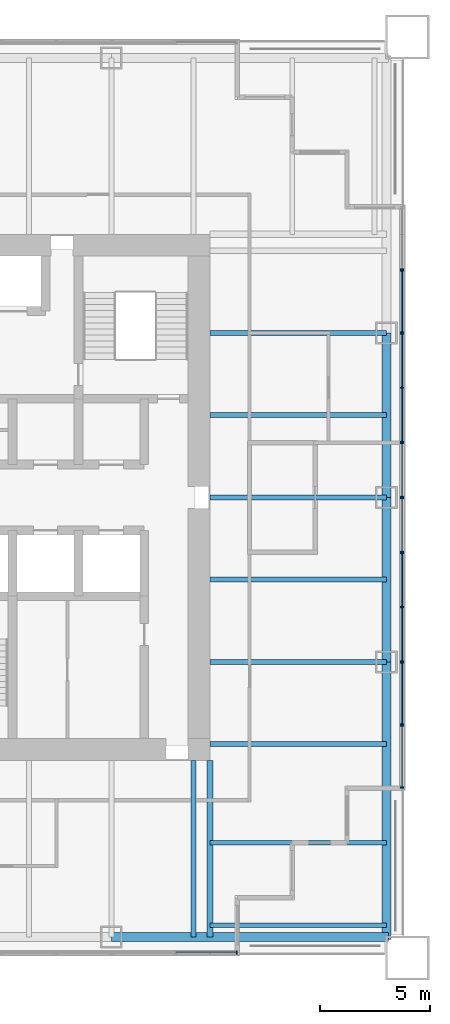
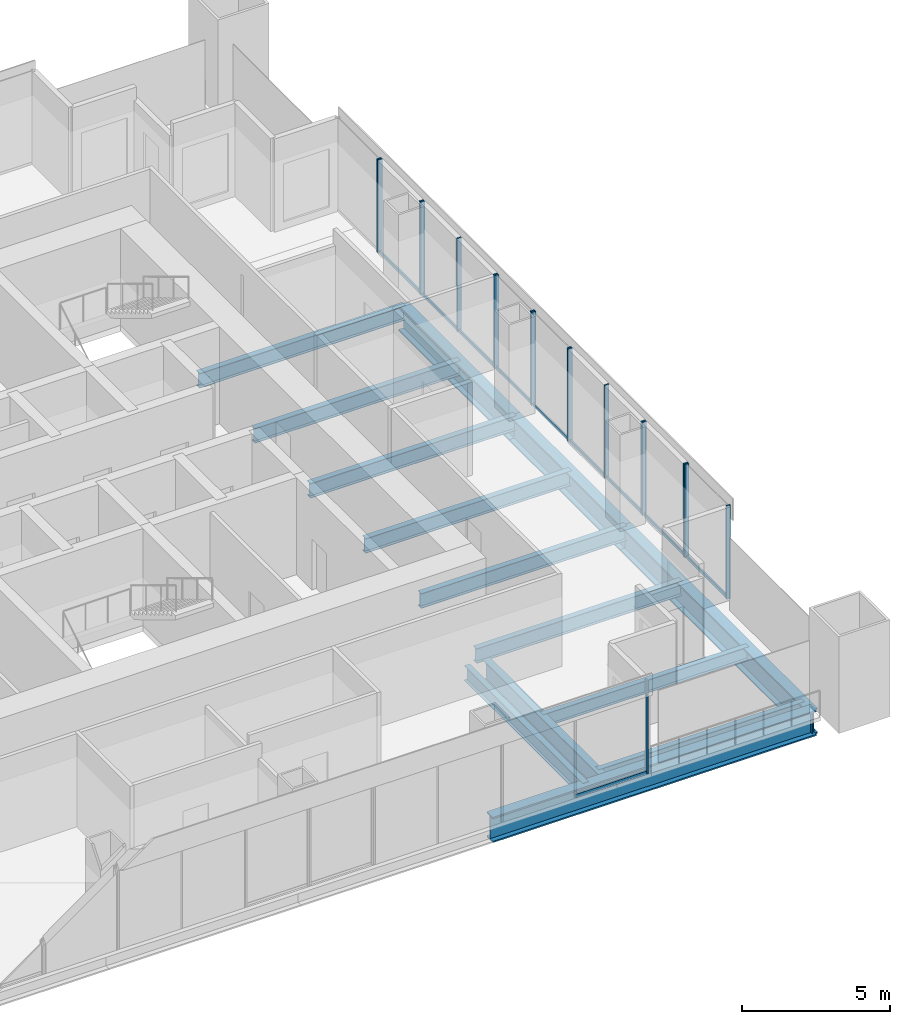
# One storey, part 5 of 14: 28 members, 14 beams, 9 elements without a shape of their own.
"""IFC4 building model written with IfcOpenShell, lengths in metres."""

from ifc_helpers import new_model, si_unit, direction, frame, origin, origin_2d, place, context, subcontext, project, spatial, rectangle, i_section, extrude, material, material_profile, profile_set, type_object, element, aggregate, save


model = new_model("IFC4")

# Units and contexts
model_context = context("Model", 3, precision=1e-05, world=origin(), true_north=direction((0.0, 1.0)))
body_context = subcontext(model_context, "Body", "Model", "MODEL_VIEW")
ifc_project = project(units=[si_unit("LENGTHUNIT", "METRE"), si_unit("AREAUNIT", "SQUARE_METRE"), si_unit("VOLUMEUNIT", "CUBIC_METRE"), si_unit("PLANEANGLEUNIT", "RADIAN"), si_unit("MASSUNIT", "GRAM", prefix="KILO")], contexts=[model_context])

# Site, building, storey
site_placement = place(None, origin())
site = spatial("IfcSite", under=ifc_project, at=site_placement, CompositionType="ELEMENT")
building_placement = place(site_placement, origin())
building = spatial("IfcBuilding", under=site, at=building_placement, Name="Tarangal Relay Tower", CompositionType="ELEMENT")
storey_placement = place(building_placement, frame((0.0, 0.0, 271.89990234375)))
storey = spatial("IfcBuildingStorey", under=building, at=storey_placement, Name="L59", CompositionType="ELEMENT", Elevation=271.89990234375)

# Beams
ifc_material_1 = material(Name="Steel ASTM A992", Category="steel")
ifc_material_profile_1 = material_profile(ifc_material_1, i_section(OverallWidth=0.209228515625, OverallDepth=0.533447265625, WebThickness=0.01025390625, FlangeThickness=0.015625, at=origin_2d()), Name="W21X62")
ifc_profile_set_1 = profile_set([ifc_material_profile_1], Name="Steel ASTM A992")
beam_type_1 = type_object("IfcBeamType", Name="Corner beam W21X62", PredefinedType="JOIST", material=ifc_profile_set_1)
for number, where, z_axis, x_axis, name in (
    (1, (12.0, -15.75, -0.41650390625), (1.0, 0.0, 0.0), (0.0, 1.0, 0.0), "Corner beam CB12 E L59"),
    (2, (12.0, -19.5, -0.41650390625), (1.0, 0.0, 0.0), (0.0, 1.0, 0.0), "Corner beam CB12 E L59"),
):
    element("IfcBeam", number, at=place(storey_placement, frame(where, z_axis=z_axis, x_axis=x_axis)), inside=storey, type_object=beam_type_1, Name=name, PredefinedType="JOIST", context=body_context, shape_type="SweptSolid", body=[
        extrude(i_section(OverallWidth=0.209228515625, OverallDepth=0.533447265625, WebThickness=0.01025390625, FlangeThickness=0.015625, at=origin_2d()), origin(), (0.0, 0.0, 1.0), 8.0400390625),
    ])
ifc_material_profile_2 = material_profile(ifc_material_1, i_section(OverallWidth=0.2919921875, OverallDepth=0.8408203125, WebThickness=0.0146484375, FlangeThickness=0.021728515625, at=origin_2d()), Name="W33X130")
ifc_profile_set_2 = profile_set([ifc_material_profile_2], Name="Steel ASTM A992")
beam_type_2 = type_object("IfcBeamType", Name="Corner girder W33X130", PredefinedType="BEAM", material=ifc_profile_set_2)
beam_placement = place(storey_placement, frame((12.0, -12.0, -0.5703125), z_axis=(0.0, -1.0, 0.0), x_axis=(1.0, 0.0, 0.0)))
element("IfcBeam", 3, at=beam_placement, inside=storey, type_object=beam_type_2, Name="Corner girder CG5 E L59", PredefinedType="BEAM", context=body_context, shape_type="SweptSolid", body=[
    extrude(i_section(OverallWidth=0.2919921875, OverallDepth=0.8408203125, WebThickness=0.0146484375, FlangeThickness=0.021728515625, at=origin_2d()), origin(), (0.0, 0.0, 1.0), 8.0400390625),
])
ifc_material_profile_3 = material_profile(ifc_material_1, i_section(OverallWidth=0.41162109375, OverallDepth=1.049072265625, WebThickness=0.033935546875, FlangeThickness=0.059814453125, at=origin_2d()), Name="W40X431")
ifc_profile_set_3 = profile_set([ifc_material_profile_3], Name="Steel ASTM A992")
beam_type_3 = type_object("IfcBeamType", Name="Edge girder W40X431", PredefinedType="SPANDREL", material=ifc_profile_set_3)
for number, where, z_axis, x_axis, name in (
    (4, (20.0400390625, 7.5, -0.67431640625), (0.0, -1.0, 0.0), (1.0, 0.0, 0.0), "Edge girder EG1 E L59"),
    (5, (20.0400390625, 0.0, -0.67431640625), (0.0, -1.0, 0.0), (1.0, 0.0, 0.0), "Edge girder EG1 E L59"),
):
    element("IfcBeam", number, at=place(storey_placement, frame(where, z_axis=z_axis, x_axis=x_axis)), inside=storey, type_object=beam_type_3, Name=name, PredefinedType="SPANDREL", context=body_context, shape_type="SweptSolid", body=[
        extrude(i_section(OverallWidth=0.41162109375, OverallDepth=1.049072265625, WebThickness=0.033935546875, FlangeThickness=0.059814453125, at=origin_2d()), origin(), (0.0, 0.0, 1.0), 7.5),
    ])
for number, where, z_axis, x_axis, name in (
    (6, (20.0400390625, -7.5, -0.67431640625), (0.0, -1.0, 0.0), (1.0, 0.0, 0.0), "Edge girder EG1 E L59"),
    (7, (20.14990234375, -20.0400390625, -0.67431640625), (-1.0, 0.0, 0.0), (0.0, -1.0, 0.0), "Edge girder EG1 S L59"),
):
    element("IfcBeam", number, at=place(storey_placement, frame(where, z_axis=z_axis, x_axis=x_axis)), inside=storey, type_object=beam_type_3, Name=name, PredefinedType="SPANDREL", context=body_context, shape_type="SweptSolid", body=[
        extrude(i_section(OverallWidth=0.41162109375, OverallDepth=1.049072265625, WebThickness=0.033935546875, FlangeThickness=0.059814453125, at=origin_2d()), origin(), (0.0, 0.0, 1.0), 12.64990234375),
    ])
ifc_material_profile_4 = material_profile(ifc_material_1, i_section(OverallWidth=0.228271484375, OverallDepth=0.607177734375, WebThickness=0.01123046875, FlangeThickness=0.017333984375, at=origin_2d()), Name="W24X76")
ifc_profile_set_4 = profile_set([ifc_material_profile_4], Name="Steel ASTM A992")
beam_type_4 = type_object("IfcBeamType", Name="Floor beam W24X76", PredefinedType="BEAM", material=ifc_profile_set_4)
for number, where, z_axis, x_axis, name in (
    (8, (12.0, 7.5, -0.453369140625), (1.0, 0.0, 0.0), (0.0, 1.0, 0.0), "Floor beam RB5 E L59"),
    (9, (12.0, 3.75, -0.453369140625), (1.0, 0.0, 0.0), (0.0, 1.0, 0.0), "Floor beam RB5 E L59"),
    (10, (12.0, 0.0, -0.453369140625), (1.0, 0.0, 0.0), (0.0, 1.0, 0.0), "Floor beam RB5 E L59"),
    (11, (12.0, -3.75, -0.453369140625), (1.0, 0.0, 0.0), (0.0, 1.0, 0.0), "Floor beam RB5 E L59"),
    (12, (12.0, -7.5, -0.453369140625), (1.0, 0.0, 0.0), (0.0, 1.0, 0.0), "Floor beam RB5 E L59"),
    (13, (12.0, -11.25, -0.453369140625), (1.0, 0.0, 0.0), (0.0, 1.0, 0.0), "Floor beam RB5 E L59"),
    (14, (11.25, -12.0, -0.453369140625), (0.0, -1.0, 0.0), (1.0, 0.0, 0.0), "Floor beam RB5 S L59"),
):
    element("IfcBeam", number, at=place(storey_placement, frame(where, z_axis=z_axis, x_axis=x_axis)), inside=storey, type_object=beam_type_4, Name=name, PredefinedType="BEAM", context=body_context, shape_type="SweptSolid", body=[
        extrude(i_section(OverallWidth=0.228271484375, OverallDepth=0.607177734375, WebThickness=0.01123046875, FlangeThickness=0.017333984375, at=origin_2d()), origin(), (0.0, 0.0, 1.0), 8.0400390625),
    ])

# Curtain wall, member
ifc_material_2 = material(Name="Unitised curtain wall, dark glass and black aluminium", Category="aluminium")
curtain_wall_type_1 = type_object("IfcCurtainWallType", Name="Curtain wall CW-B", PredefinedType="USERDEFINED", material=ifc_material_2)
curtain_wall_1_placement = place(storey_placement, origin())
curtain_wall_1 = element("IfcCurtainWall", 15, at=curtain_wall_1_placement, inside=storey, type_object=curtain_wall_type_1, Name="Curtain wall CW-B E facade L59", ObjectType="UNITISED CURTAIN WALL", PredefinedType="USERDEFINED")
ifc_material_3 = material(Name="Black anodised aluminium mullion", Category="aluminium")
ifc_material_profile_5 = material_profile(ifc_material_3, rectangle(XDim=0.159912109375, YDim=0.06005859375, at=origin_2d()), Name="CW-BM 60X160")
ifc_profile_set_5 = profile_set([ifc_material_profile_5], Name="Black anodised aluminium mullion")
member_type_1 = type_object("IfcMemberType", Name="Mullion CW-B 60 x 160", PredefinedType="MULLION", material=ifc_profile_set_5)
member_1_placement = place(storey_placement, frame((20.75, 10.405029296875, 0.0), z_axis=(0.0, 0.0, 1.0), x_axis=(1.0, 0.0, 0.0)))
member_1 = element("IfcMember", 16, at=member_1_placement, type_object=member_type_1, Name="CW-B mullion 2", PredefinedType="MULLION", context=body_context, shape_type="SweptSolid", body=[
    extrude(rectangle(XDim=0.159912109375, YDim=0.06005859375, at=origin_2d()), origin(), (0.0, 0.0, 1.0), 3.85009765625),
])
aggregate(curtain_wall_1, [member_1])

# Curtain wall, members
curtain_wall_2_placement = place(storey_placement, origin())
curtain_wall_2 = element("IfcCurtainWall", 17, at=curtain_wall_2_placement, inside=storey, type_object=curtain_wall_type_1, Name="Curtain wall CW-B E facade L59", ObjectType="UNITISED CURTAIN WALL", PredefinedType="USERDEFINED")
member_2_placement = place(storey_placement, frame((20.75, 2.469970703125, 0.0), z_axis=(0.0, 0.0, 1.0), x_axis=(1.0, 0.0, 0.0)))
member_2 = element("IfcMember", 18, at=member_2_placement, type_object=member_type_1, Name="CW-B mullion 1", PredefinedType="MULLION", context=body_context, shape_type="SweptSolid", body=[
    extrude(rectangle(XDim=0.159912109375, YDim=0.06005859375, at=origin_2d()), origin(), (0.0, 0.0, 1.0), 3.85009765625),
])
member_3_placement = place(storey_placement, frame((20.75, 0.030029296875, 0.0), z_axis=(0.0, 0.0, 1.0), x_axis=(1.0, 0.0, 0.0)))
member_3 = element("IfcMember", 19, at=member_3_placement, type_object=member_type_1, Name="CW-B mullion 2", PredefinedType="MULLION", context=body_context, shape_type="SweptSolid", body=[
    extrude(rectangle(XDim=0.159912109375, YDim=0.06005859375, at=origin_2d()), origin(), (0.0, 0.0, 1.0), 3.85009765625),
])

curtain_wall_3_placement = place(storey_placement, origin())
curtain_wall_3 = element("IfcCurtainWall", 20, at=curtain_wall_3_placement, inside=storey, type_object=curtain_wall_type_1, Name="Curtain wall CW-B E facade L59", ObjectType="UNITISED CURTAIN WALL", PredefinedType="USERDEFINED")
member_4_placement = place(storey_placement, frame((20.75, -0.030029296875, 0.0), z_axis=(0.0, 0.0, 1.0), x_axis=(1.0, 0.0, 0.0)))
member_4 = element("IfcMember", 21, at=member_4_placement, type_object=member_type_1, Name="CW-B mullion 1", PredefinedType="MULLION", context=body_context, shape_type="SweptSolid", body=[
    extrude(rectangle(XDim=0.159912109375, YDim=0.06005859375, at=origin_2d()), origin(), (0.0, 0.0, 1.0), 3.85009765625),
])
member_5_placement = place(storey_placement, frame((20.75, -2.469970703125, 0.0), z_axis=(0.0, 0.0, 1.0), x_axis=(1.0, 0.0, 0.0)))
member_5 = element("IfcMember", 22, at=member_5_placement, type_object=member_type_1, Name="CW-B mullion 2", PredefinedType="MULLION", context=body_context, shape_type="SweptSolid", body=[
    extrude(rectangle(XDim=0.159912109375, YDim=0.06005859375, at=origin_2d()), origin(), (0.0, 0.0, 1.0), 3.85009765625),
])

curtain_wall_4_placement = place(storey_placement, origin())
curtain_wall_4 = element("IfcCurtainWall", 23, at=curtain_wall_4_placement, inside=storey, type_object=curtain_wall_type_1, Name="Curtain wall CW-B E facade L59", ObjectType="UNITISED CURTAIN WALL", PredefinedType="USERDEFINED")
member_6_placement = place(storey_placement, frame((20.75, -10.405029296875, 0.0), z_axis=(0.0, 0.0, 1.0), x_axis=(1.0, 0.0, 0.0)))
member_6 = element("IfcMember", 24, at=member_6_placement, type_object=member_type_1, Name="CW-B mullion 1", PredefinedType="MULLION", context=body_context, shape_type="SweptSolid", body=[
    extrude(rectangle(XDim=0.159912109375, YDim=0.06005859375, at=origin_2d()), origin(), (0.0, 0.0, 1.0), 3.85009765625),
])
member_7_placement = place(storey_placement, frame((20.75, -13.219970703125, 0.0), z_axis=(0.0, 0.0, 1.0), x_axis=(1.0, 0.0, 0.0)))
member_7 = element("IfcMember", 25, at=member_7_placement, type_object=member_type_1, Name="CW-B mullion 2", PredefinedType="MULLION", context=body_context, shape_type="SweptSolid", body=[
    extrude(rectangle(XDim=0.159912109375, YDim=0.06005859375, at=origin_2d()), origin(), (0.0, 0.0, 1.0), 3.85009765625),
])

# Curtain wall, member
curtain_wall_5_placement = place(storey_placement, origin())
curtain_wall_5 = element("IfcCurtainWall", 26, at=curtain_wall_5_placement, inside=storey, type_object=curtain_wall_type_1, Name="Curtain wall CW-B S facade L59", ObjectType="UNITISED CURTAIN WALL", PredefinedType="USERDEFINED")
member_8_placement = place(storey_placement, frame((13.219970703125, -20.75, 0.0), z_axis=(0.0, 0.0, 1.0), x_axis=(0.0, -1.0, 0.0)))
member_8 = element("IfcMember", 27, at=member_8_placement, type_object=member_type_1, Name="CW-B mullion 1", PredefinedType="MULLION", context=body_context, shape_type="SweptSolid", body=[
    extrude(rectangle(XDim=0.159912109375, YDim=0.06005859375, at=origin_2d()), origin(), (0.0, 0.0, 1.0), 3.85009765625),
])

# Curtain wall, members
ifc_material_4 = material(Name="Unitised curtain wall frame, black aluminium, with metal clad infill walls", Category="aluminium")
curtain_wall_type_2 = type_object("IfcCurtainWallType", Name="Curtain wall CW-BO", PredefinedType="USERDEFINED", material=ifc_material_4)
curtain_wall_6_placement = place(storey_placement, origin())
curtain_wall_6 = element("IfcCurtainWall", 28, at=curtain_wall_6_placement, inside=storey, type_object=curtain_wall_type_2, Name="Curtain wall CW-BO E facade L59", ObjectType="UNITISED CURTAIN WALL", PredefinedType="USERDEFINED")
ifc_material_profile_6 = material_profile(ifc_material_3, rectangle(XDim=0.159912109375, YDim=0.06005859375, at=origin_2d()), Name="CW-BOM 60X160")
ifc_profile_set_6 = profile_set([ifc_material_profile_6], Name="Black anodised aluminium mullion")
member_type_2 = type_object("IfcMemberType", Name="Mullion CW-BO 60 x 160", PredefinedType="MULLION", material=ifc_profile_set_6)
member_9_placement = place(storey_placement, frame((20.75, 10.344970703125, 0.0), z_axis=(0.0, 0.0, 1.0), x_axis=(1.0, 0.0, 0.0)))
member_9 = element("IfcMember", 29, at=member_9_placement, type_object=member_type_2, Name="CW-BO mullion 1", PredefinedType="MULLION", context=body_context, shape_type="SweptSolid", body=[
    extrude(rectangle(XDim=0.159912109375, YDim=0.06005859375, at=origin_2d()), origin(), (0.0, 0.0, 1.0), 3.85009765625),
])
member_10_placement = place(storey_placement, frame((20.75, 7.530029296875, 0.0), z_axis=(0.0, 0.0, 1.0), x_axis=(1.0, 0.0, 0.0)))
member_10 = element("IfcMember", 30, at=member_10_placement, type_object=member_type_2, Name="CW-BO mullion 2", PredefinedType="MULLION", context=body_context, shape_type="SweptSolid", body=[
    extrude(rectangle(XDim=0.159912109375, YDim=0.06005859375, at=origin_2d()), origin(), (0.0, 0.0, 1.0), 3.85009765625),
])

curtain_wall_7_placement = place(storey_placement, origin())
curtain_wall_7 = element("IfcCurtainWall", 31, at=curtain_wall_7_placement, inside=storey, type_object=curtain_wall_type_2, Name="Curtain wall CW-BO E facade L59", ObjectType="UNITISED CURTAIN WALL", PredefinedType="USERDEFINED")
member_11_placement = place(storey_placement, frame((20.75, 7.469970703125, 0.0), z_axis=(0.0, 0.0, 1.0), x_axis=(1.0, 0.0, 0.0)))
member_11 = element("IfcMember", 32, at=member_11_placement, type_object=member_type_2, Name="CW-BO mullion 1", PredefinedType="MULLION", context=body_context, shape_type="SweptSolid", body=[
    extrude(rectangle(XDim=0.159912109375, YDim=0.06005859375, at=origin_2d()), origin(), (0.0, 0.0, 1.0), 3.85009765625),
])
member_12_placement = place(storey_placement, frame((20.75, 5.0, 0.0), z_axis=(0.0, 0.0, 1.0), x_axis=(1.0, 0.0, 0.0)))
member_12 = element("IfcMember", 33, at=member_12_placement, type_object=member_type_2, Name="CW-BO mullion 2", PredefinedType="MULLION", context=body_context, shape_type="SweptSolid", body=[
    extrude(rectangle(XDim=0.159912109375, YDim=0.06005859375, at=origin_2d()), origin(), (0.0, 0.0, 1.0), 3.85009765625),
])
member_13_placement = place(storey_placement, frame((20.75, 2.530029296875, 0.0), z_axis=(0.0, 0.0, 1.0), x_axis=(1.0, 0.0, 0.0)))
member_13 = element("IfcMember", 34, at=member_13_placement, type_object=member_type_2, Name="CW-BO mullion 3", PredefinedType="MULLION", context=body_context, shape_type="SweptSolid", body=[
    extrude(rectangle(XDim=0.159912109375, YDim=0.06005859375, at=origin_2d()), origin(), (0.0, 0.0, 1.0), 3.85009765625),
])

curtain_wall_8_placement = place(storey_placement, origin())
curtain_wall_8 = element("IfcCurtainWall", 35, at=curtain_wall_8_placement, inside=storey, type_object=curtain_wall_type_2, Name="Curtain wall CW-BO E facade L59", ObjectType="UNITISED CURTAIN WALL", PredefinedType="USERDEFINED")
member_14_placement = place(storey_placement, frame((20.75, -2.530029296875, 0.0), z_axis=(0.0, 0.0, 1.0), x_axis=(1.0, 0.0, 0.0)))
member_14 = element("IfcMember", 36, at=member_14_placement, type_object=member_type_2, Name="CW-BO mullion 1", PredefinedType="MULLION", context=body_context, shape_type="SweptSolid", body=[
    extrude(rectangle(XDim=0.159912109375, YDim=0.06005859375, at=origin_2d()), origin(), (0.0, 0.0, 1.0), 3.85009765625),
])
member_15_placement = place(storey_placement, frame((20.75, -5.0, 0.0), z_axis=(0.0, 0.0, 1.0), x_axis=(1.0, 0.0, 0.0)))
member_15 = element("IfcMember", 37, at=member_15_placement, type_object=member_type_2, Name="CW-BO mullion 2", PredefinedType="MULLION", context=body_context, shape_type="SweptSolid", body=[
    extrude(rectangle(XDim=0.159912109375, YDim=0.06005859375, at=origin_2d()), origin(), (0.0, 0.0, 1.0), 3.85009765625),
])
member_16_placement = place(storey_placement, frame((20.75, -7.469970703125, 0.0), z_axis=(0.0, 0.0, 1.0), x_axis=(1.0, 0.0, 0.0)))
member_16 = element("IfcMember", 38, at=member_16_placement, type_object=member_type_2, Name="CW-BO mullion 3", PredefinedType="MULLION", context=body_context, shape_type="SweptSolid", body=[
    extrude(rectangle(XDim=0.159912109375, YDim=0.06005859375, at=origin_2d()), origin(), (0.0, 0.0, 1.0), 3.85009765625),
])

curtain_wall_9_placement = place(storey_placement, origin())
curtain_wall_9 = element("IfcCurtainWall", 39, at=curtain_wall_9_placement, inside=storey, type_object=curtain_wall_type_2, Name="Curtain wall CW-BO E facade L59", ObjectType="UNITISED CURTAIN WALL", PredefinedType="USERDEFINED")
member_17_placement = place(storey_placement, frame((20.75, -7.530029296875, 0.0), z_axis=(0.0, 0.0, 1.0), x_axis=(1.0, 0.0, 0.0)))
member_17 = element("IfcMember", 40, at=member_17_placement, type_object=member_type_2, Name="CW-BO mullion 1", PredefinedType="MULLION", context=body_context, shape_type="SweptSolid", body=[
    extrude(rectangle(XDim=0.159912109375, YDim=0.06005859375, at=origin_2d()), origin(), (0.0, 0.0, 1.0), 3.85009765625),
])
member_18_placement = place(storey_placement, frame((20.75, -10.344970703125, 0.0), z_axis=(0.0, 0.0, 1.0), x_axis=(1.0, 0.0, 0.0)))
member_18 = element("IfcMember", 41, at=member_18_placement, type_object=member_type_2, Name="CW-BO mullion 2", PredefinedType="MULLION", context=body_context, shape_type="SweptSolid", body=[
    extrude(rectangle(XDim=0.159912109375, YDim=0.06005859375, at=origin_2d()), origin(), (0.0, 0.0, 1.0), 3.85009765625),
])

# Member
ifc_material_5 = material(Name="Black anodised aluminium transom", Category="aluminium")
ifc_material_profile_7 = material_profile(ifc_material_5, rectangle(XDim=0.06005859375, YDim=0.1298828125, at=origin_2d()), Name="CW-BT 60X130")
ifc_profile_set_7 = profile_set([ifc_material_profile_7], Name="Black anodised aluminium transom")
member_type_3 = type_object("IfcMemberType", Name="Transom CW-B 60 x 130", PredefinedType="USERDEFINED", material=ifc_profile_set_7)
member_19_placement = place(storey_placement, frame((20.75, 2.43994140625, 0.030029296875), z_axis=(0.0, -1.0, 0.0), x_axis=(1.0, 0.0, 0.0)))
member_19 = element("IfcMember", 42, at=member_19_placement, type_object=member_type_3, Name="CW-B transom 1.1", ObjectType="TRANSOM", PredefinedType="USERDEFINED", context=body_context, shape_type="SweptSolid", body=[
    extrude(rectangle(XDim=0.06005859375, YDim=0.1298828125, at=origin_2d()), origin(), (0.0, 0.0, 1.0), 2.3798828125),
])

aggregate(curtain_wall_2, [member_2, member_3, member_19])

member_20_placement = place(storey_placement, frame((20.75, -0.06005859375, 0.030029296875), z_axis=(0.0, -1.0, 0.0), x_axis=(1.0, 0.0, 0.0)))
member_20 = element("IfcMember", 43, at=member_20_placement, type_object=member_type_3, Name="CW-B transom 1.1", ObjectType="TRANSOM", PredefinedType="USERDEFINED", context=body_context, shape_type="SweptSolid", body=[
    extrude(rectangle(XDim=0.06005859375, YDim=0.1298828125, at=origin_2d()), origin(), (0.0, 0.0, 1.0), 2.3798828125),
])

aggregate(curtain_wall_3, [member_4, member_5, member_20])

member_21_placement = place(storey_placement, frame((20.75, -10.43505859375, 0.030029296875), z_axis=(0.0, -1.0, 0.0), x_axis=(1.0, 0.0, 0.0)))
member_21 = element("IfcMember", 44, at=member_21_placement, type_object=member_type_3, Name="CW-B transom 1.1", ObjectType="TRANSOM", PredefinedType="USERDEFINED", context=body_context, shape_type="SweptSolid", body=[
    extrude(rectangle(XDim=0.06005859375, YDim=0.1298828125, at=origin_2d()), origin(), (0.0, 0.0, 1.0), 2.7548828125),
])

aggregate(curtain_wall_4, [member_6, member_7, member_21])

member_22_placement = place(storey_placement, frame((13.18994140625, -20.75, 0.030029296875), z_axis=(-1.0, 0.0, 0.0), x_axis=(0.0, -1.0, 0.0)))
member_22 = element("IfcMember", 45, at=member_22_placement, type_object=member_type_3, Name="CW-B transom 1.1", ObjectType="TRANSOM", PredefinedType="USERDEFINED", context=body_context, shape_type="SweptSolid", body=[
    extrude(rectangle(XDim=0.06005859375, YDim=0.1298828125, at=origin_2d()), origin(), (0.0, 0.0, 1.0), 2.7548828125),
])

aggregate(curtain_wall_5, [member_8, member_22])

ifc_material_profile_8 = material_profile(ifc_material_5, rectangle(XDim=0.06005859375, YDim=0.1298828125, at=origin_2d()), Name="CW-BOT 60X130")
ifc_profile_set_8 = profile_set([ifc_material_profile_8], Name="Black anodised aluminium transom")
member_type_4 = type_object("IfcMemberType", Name="Transom CW-BO 60 x 130", PredefinedType="USERDEFINED", material=ifc_profile_set_8)
member_23_placement = place(storey_placement, frame((20.75, 10.31494140625, 0.030029296875), z_axis=(0.0, -1.0, 0.0), x_axis=(1.0, 0.0, 0.0)))
member_23 = element("IfcMember", 46, at=member_23_placement, type_object=member_type_4, Name="CW-BO transom 1.1", ObjectType="TRANSOM", PredefinedType="USERDEFINED", context=body_context, shape_type="SweptSolid", body=[
    extrude(rectangle(XDim=0.06005859375, YDim=0.1298828125, at=origin_2d()), origin(), (0.0, 0.0, 1.0), 2.7548828125),
])

aggregate(curtain_wall_6, [member_9, member_10, member_23])

member_24_placement = place(storey_placement, frame((20.75, 7.43994140625, 0.030029296875), z_axis=(0.0, -1.0, 0.0), x_axis=(1.0, 0.0, 0.0)))
member_24 = element("IfcMember", 47, at=member_24_placement, type_object=member_type_4, Name="CW-BO transom 1.1", ObjectType="TRANSOM", PredefinedType="USERDEFINED", context=body_context, shape_type="SweptSolid", body=[
    extrude(rectangle(XDim=0.06005859375, YDim=0.1298828125, at=origin_2d()), origin(), (0.0, 0.0, 1.0), 2.409912109375),
])

member_25_placement = place(storey_placement, frame((20.75, 4.969970703125, 0.030029296875), z_axis=(0.0, -1.0, 0.0), x_axis=(1.0, 0.0, 0.0)))
member_25 = element("IfcMember", 48, at=member_25_placement, type_object=member_type_4, Name="CW-BO transom 2.1", ObjectType="TRANSOM", PredefinedType="USERDEFINED", context=body_context, shape_type="SweptSolid", body=[
    extrude(rectangle(XDim=0.06005859375, YDim=0.1298828125, at=origin_2d()), origin(), (0.0, 0.0, 1.0), 2.409912109375),
])

aggregate(curtain_wall_7, [member_11, member_12, member_13, member_24, member_25])

member_26_placement = place(storey_placement, frame((20.75, -2.56005859375, 0.030029296875), z_axis=(0.0, -1.0, 0.0), x_axis=(1.0, 0.0, 0.0)))
member_26 = element("IfcMember", 49, at=member_26_placement, type_object=member_type_4, Name="CW-BO transom 1.1", ObjectType="TRANSOM", PredefinedType="USERDEFINED", context=body_context, shape_type="SweptSolid", body=[
    extrude(rectangle(XDim=0.06005859375, YDim=0.1298828125, at=origin_2d()), origin(), (0.0, 0.0, 1.0), 2.409912109375),
])

member_27_placement = place(storey_placement, frame((20.75, -5.030029296875, 0.030029296875), z_axis=(0.0, -1.0, 0.0), x_axis=(1.0, 0.0, 0.0)))
member_27 = element("IfcMember", 50, at=member_27_placement, type_object=member_type_4, Name="CW-BO transom 2.1", ObjectType="TRANSOM", PredefinedType="USERDEFINED", context=body_context, shape_type="SweptSolid", body=[
    extrude(rectangle(XDim=0.06005859375, YDim=0.1298828125, at=origin_2d()), origin(), (0.0, 0.0, 1.0), 2.409912109375),
])

aggregate(curtain_wall_8, [member_14, member_15, member_16, member_26, member_27])

member_28_placement = place(storey_placement, frame((20.75, -7.56005859375, 0.030029296875), z_axis=(0.0, -1.0, 0.0), x_axis=(1.0, 0.0, 0.0)))
member_28 = element("IfcMember", 51, at=member_28_placement, type_object=member_type_4, Name="CW-BO transom 1.1", ObjectType="TRANSOM", PredefinedType="USERDEFINED", context=body_context, shape_type="SweptSolid", body=[
    extrude(rectangle(XDim=0.06005859375, YDim=0.1298828125, at=origin_2d()), origin(), (0.0, 0.0, 1.0), 2.7548828125),
])

aggregate(curtain_wall_9, [member_17, member_18, member_28])

save(model, "model.ifc")
